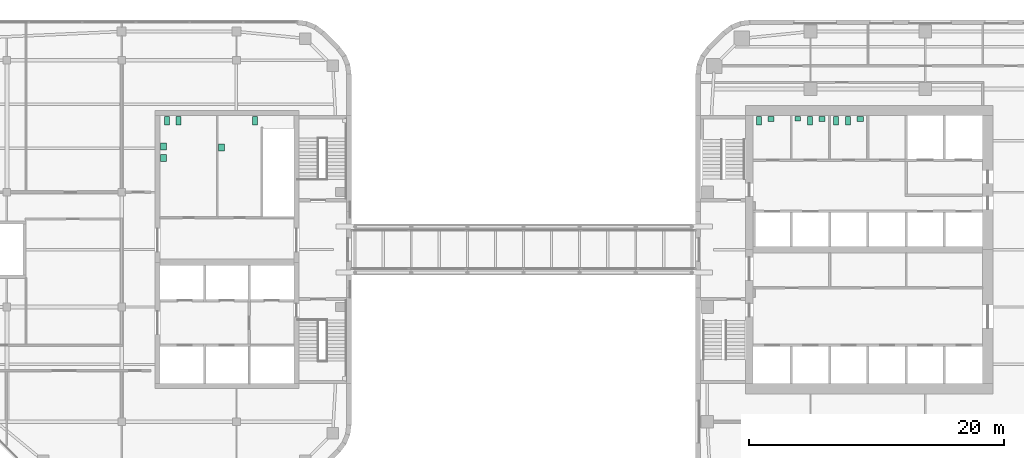
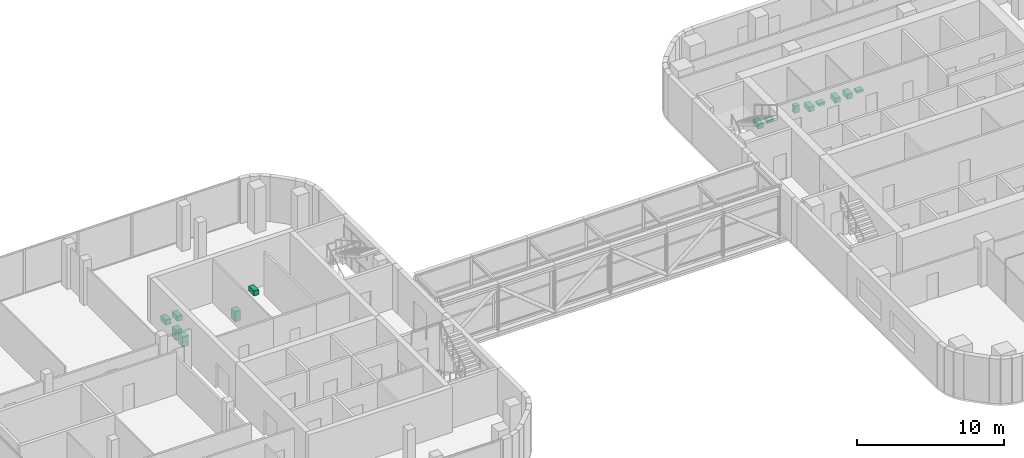
# One storey, part 21 of 21: 14 sanitary terminals.
"""IFC4 building model written with IfcOpenShell, lengths in metres."""

from ifc_helpers import new_model, si_unit, direction, frame, origin, origin_2d, place, context, subcontext, project, spatial, rectangle, extrude, material, type_object, element, save


model = new_model("IFC4")

# Units and contexts
model_context = context("Model", 3, precision=1e-05, world=origin(), true_north=direction((0.0, 1.0)))
body_context = subcontext(model_context, "Body", "Model", "MODEL_VIEW")
ifc_project = project(units=[si_unit("LENGTHUNIT", "METRE"), si_unit("AREAUNIT", "SQUARE_METRE"), si_unit("VOLUMEUNIT", "CUBIC_METRE"), si_unit("PLANEANGLEUNIT", "RADIAN"), si_unit("MASSUNIT", "GRAM", prefix="KILO")], contexts=[model_context])

# Site, building, storey
site_placement = place(None, origin())
site = spatial("IfcSite", under=ifc_project, at=site_placement, CompositionType="ELEMENT")
building_placement = place(site_placement, origin())
building = spatial("IfcBuilding", under=site, at=building_placement, Name="Cinnabar Reach Civic Tower", CompositionType="ELEMENT")
storey_placement = place(building_placement, frame((0.0, 0.0, 140.0)))
storey = spatial("IfcBuildingStorey", under=building, at=storey_placement, Name="L33", CompositionType="ELEMENT", Elevation=140.0)

# Sanitary terminals
ifc_material = material(Name="Vitreous china")
sanitary_terminal_type_1 = type_object("IfcSanitaryTerminalType", Name="T1 WC pan", PredefinedType="TOILETPAN", material=ifc_material)
for number, where, z_axis, x_axis, name in (
    (1, (4.95, 41.6, 0.0), (0.0, 0.0, 1.0), (1.0, 0.0, 0.0), "T1 WC pan 3307-1"),
    (2, (8.95, 41.6, 0.0), (0.0, 0.0, 1.0), (1.0, 0.0, 0.0), "T1 WC pan 3308-2"),
    (3, (11.0, 41.6, 0.0), (0.0, 0.0, 1.0), (1.0, 0.0, 0.0), "T1 WC pan 3309-1"),
    (4, (11.95, 41.6, 0.0), (0.0, 0.0, 1.0), (1.0, 0.0, 0.0), "T1 WC pan 3309-2"),
):
    element("IfcSanitaryTerminal", number, at=place(storey_placement, frame(where, z_axis=z_axis, x_axis=x_axis)), inside=storey, type_object=sanitary_terminal_type_1, Name=name, PredefinedType="TOILETPAN", context=body_context, shape_type="SweptSolid", body=[
        extrude(rectangle(XDim=0.4, YDim=0.7, at=origin_2d()), origin(), (0.0, 0.0, 1.0), 0.4),
    ])
sanitary_terminal_type_2 = type_object("IfcSanitaryTerminalType", Name="T1 urinal", PredefinedType="URINAL", material=ifc_material)
sanitary_terminal_placement = place(storey_placement, frame((8.0, 41.775, 0.0), z_axis=(0.0, 0.0, 1.0), x_axis=(1.0, 0.0, 0.0)))
element("IfcSanitaryTerminal", 5, at=sanitary_terminal_placement, inside=storey, type_object=sanitary_terminal_type_2, Name="T1 urinal 3308-1", PredefinedType="URINAL", context=body_context, shape_type="SweptSolid", body=[
    extrude(rectangle(XDim=0.4, YDim=0.35, at=origin_2d()), origin(), (0.0, 0.0, 1.0), 0.6),
])
sanitary_terminal_type_3 = type_object("IfcSanitaryTerminalType", Name="T1 wash basin", PredefinedType="WASHHANDBASIN", material=ifc_material)
for number, where, z_axis, x_axis, name in (
    (6, (5.9, 41.74, 0.0), (0.0, 0.0, 1.0), (1.0, 0.0, 0.0), "T1 wash basin 3307-2"),
    (7, (9.9, 41.74, 0.0), (0.0, 0.0, 1.0), (1.0, 0.0, 0.0), "T1 wash basin 3308-3"),
    (8, (12.9, 41.74, 0.0), (0.0, 0.0, 1.0), (1.0, 0.0, 0.0), "T1 wash basin 3309-3"),
):
    element("IfcSanitaryTerminal", number, at=place(storey_placement, frame(where, z_axis=z_axis, x_axis=x_axis)), inside=storey, type_object=sanitary_terminal_type_3, Name=name, PredefinedType="WASHHANDBASIN", context=body_context, shape_type="SweptSolid", body=[
        extrude(rectangle(XDim=0.5, YDim=0.42, at=origin_2d()), origin(), (0.0, 0.0, 1.0), 0.2),
    ])
sanitary_terminal_type_4 = type_object("IfcSanitaryTerminalType", Name="T2 WC pan", PredefinedType="TOILETPAN", material=ifc_material)
for number, where, z_axis, x_axis, name in (
    (9, (-41.45, 41.6, 0.0), (0.0, 0.0, 1.0), (1.0, 0.0, 0.0), "WC pan"),
    (10, (-40.55, 41.6, 0.0), (0.0, 0.0, 1.0), (1.0, 0.0, 0.0), "WC pan"),
    (11, (-34.55, 41.6, 0.0), (0.0, 0.0, 1.0), (1.0, 0.0, 0.0), "WC pan"),
):
    element("IfcSanitaryTerminal", number, at=place(storey_placement, frame(where, z_axis=z_axis, x_axis=x_axis)), inside=storey, type_object=sanitary_terminal_type_4, Name=name, PredefinedType="TOILETPAN", context=body_context, shape_type="SweptSolid", body=[
        extrude(rectangle(XDim=0.4, YDim=0.7, at=origin_2d()), origin(), (0.0, 0.0, 1.0), 0.42),
    ])
sanitary_terminal_type_5 = type_object("IfcSanitaryTerminalType", Name="T2 Wash basin", PredefinedType="WASHHANDBASIN", material=ifc_material)
for number, where, z_axis, x_axis, name in (
    (12, (-41.725, 39.6, 0.0), (0.0, 0.0, 1.0), (1.0, 0.0, 0.0), "Wash basin"),
    (13, (-41.725, 38.7, 0.0), (0.0, 0.0, 1.0), (1.0, 0.0, 0.0), "Wash basin"),
    (14, (-37.175, 39.5, 0.0), (0.0, 0.0, 1.0), (1.0, 0.0, 0.0), "Wash basin"),
):
    element("IfcSanitaryTerminal", number, at=place(storey_placement, frame(where, z_axis=z_axis, x_axis=x_axis)), inside=storey, type_object=sanitary_terminal_type_5, Name=name, PredefinedType="WASHHANDBASIN", context=body_context, shape_type="SweptSolid", body=[
        extrude(rectangle(XDim=0.45, YDim=0.55, at=origin_2d()), origin(), (0.0, 0.0, 1.0), 0.85),
    ])

save(model, "model.ifc")
